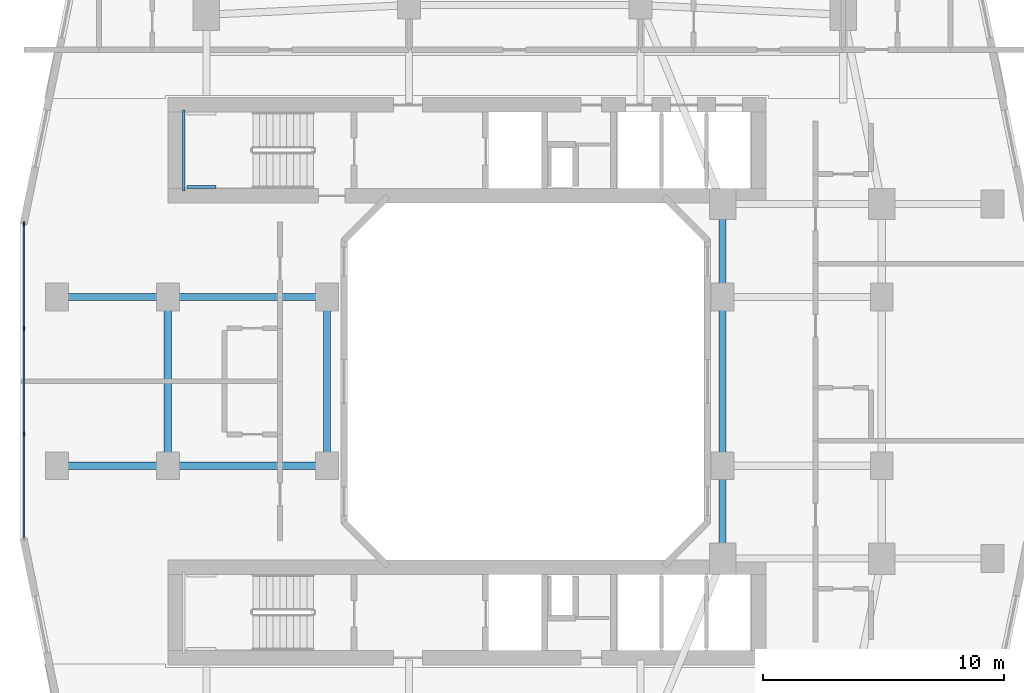
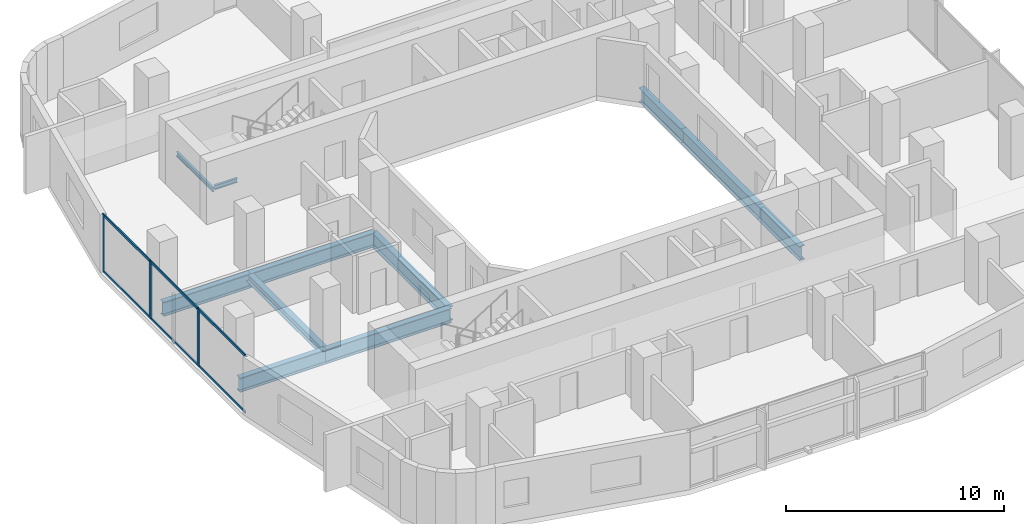
# One storey, part 3 of 27: 11 beams, 9 members, 1 element without a shape of its own.
"""IFC4 building model written with IfcOpenShell, lengths in metres."""

from ifc_helpers import new_model, si_unit, derived_unit, direction, frame, origin, origin_2d, place, context, subcontext, project, spatial, rectangle, i_section, extrude, material, layer, layer_set, material_profile, profile_set, type_object, element, aggregate, save


model = new_model("IFC4")

# Units and contexts
model_context = context("Model", 3, precision=1e-05, world=origin(), true_north=direction((0.0, 1.0)))
body_context = subcontext(model_context, "Body", "Model", "MODEL_VIEW")
ifc_project = project(units=[si_unit("LENGTHUNIT", "METRE"), si_unit("AREAUNIT", "SQUARE_METRE"), si_unit("VOLUMEUNIT", "CUBIC_METRE"), si_unit("PLANEANGLEUNIT", "RADIAN"), si_unit("MASSUNIT", "GRAM", prefix="KILO"), derived_unit("THERMALTRANSMITTANCEUNIT", [(si_unit("POWERUNIT", "WATT"), 1), (si_unit("LENGTHUNIT", "METRE"), -2), (si_unit("THERMODYNAMICTEMPERATUREUNIT", "KELVIN"), -1)])], contexts=[model_context])

# Site, building, storey
site_placement = place(None, origin())
site = spatial("IfcSite", under=ifc_project, at=site_placement, CompositionType="ELEMENT")
building_placement = place(site_placement, origin())
building = spatial("IfcBuilding", under=site, at=building_placement, Name="Kivonza Crest Hotel", CompositionType="ELEMENT")
storey_placement = place(building_placement, frame((0.0, 0.0, 34.5)))
storey = spatial("IfcBuildingStorey", under=building, at=storey_placement, Name="L08", CompositionType="ELEMENT", Elevation=34.5)

# Beams
ifc_material_1 = material(Name="Steel S355", Category="steel")
ifc_material_profile_1 = material_profile(ifc_material_1, i_section(OverallWidth=0.300048828125, OverallDepth=0.449951171875, WebThickness=0.013916015625, FlangeThickness=0.02587890625, FilletRadius=0.027099609375, at=origin_2d()), Name="HEB 450")
ifc_profile_set_1 = profile_set([ifc_material_profile_1], Name="Steel S355")
beam_type_1 = type_object("IfcBeamType", Name="BM-HEB450", PredefinedType="SPANDREL", material=ifc_profile_set_1)
beam_1_placement = place(storey_placement, frame((6.199951171875, 28.5, -0.5048828125), z_axis=(0.0, -1.0, 0.0), x_axis=(1.0, 0.0, 0.0)))
element("IfcBeam", 1, at=beam_1_placement, inside=storey, type_object=beam_type_1, Name="Tower T1 L08 perimeter spandrel W2-W1", PredefinedType="SPANDREL", context=body_context, shape_type="SweptSolid", body=[
    extrude(i_section(OverallWidth=0.300048828125, OverallDepth=0.449951171875, WebThickness=0.013916015625, FlangeThickness=0.02587890625, FilletRadius=0.027099609375, at=origin_2d()), origin(), (0.0, 0.0, 1.0), 7.0),
])
ifc_material_profile_2 = material_profile(ifc_material_1, i_section(OverallWidth=0.300048828125, OverallDepth=0.800048828125, WebThickness=0.017578125, FlangeThickness=0.032958984375, FilletRadius=0.030029296875, at=origin_2d()), Name="HEB 800")
ifc_profile_set_2 = profile_set([ifc_material_profile_2], Name="Steel S355")
beam_type_2 = type_object("IfcBeamType", Name="BM-HEB800", PredefinedType="BEAM", material=ifc_profile_set_2)
for number, where, z_axis, x_axis, name in (
    (2, (6.199951171875, 21.5, -0.679931640625), (1.0, 0.0, 0.0), (0.0, 1.0, 0.0), "Tower T1 L08 primary girder W1-WL1"),
    (3, (6.199951171875, 28.5, -0.679931640625), (1.0, 0.0, 0.0), (0.0, 1.0, 0.0), "Tower T1 L08 primary girder W2-WL2"),
):
    element("IfcBeam", number, at=place(storey_placement, frame(where, z_axis=z_axis, x_axis=x_axis)), inside=storey, type_object=beam_type_2, Name=name, PredefinedType="BEAM", context=body_context, shape_type="SweptSolid", body=[
        extrude(i_section(OverallWidth=0.300048828125, OverallDepth=0.800048828125, WebThickness=0.017578125, FlangeThickness=0.032958984375, FilletRadius=0.030029296875, at=origin_2d()), origin(), (0.0, 0.0, 1.0), 6.60009765625),
    ])
for number, where, z_axis, x_axis, name in (
    (4, (12.800048828125, 21.5, -0.679931640625), (0.0, 1.0, 0.0), (-1.0, 0.0, 0.0), "Tower T1 L08 primary girder WL1-WL2"),
    (5, (29.199951171875, 21.5, -0.679931640625), (0.0, 1.0, 0.0), (-1.0, 0.0, 0.0), "Tower T1 L08 primary girder WR1-WR2"),
):
    element("IfcBeam", number, at=place(storey_placement, frame(where, z_axis=z_axis, x_axis=x_axis)), inside=storey, type_object=beam_type_2, Name=name, PredefinedType="BEAM", context=body_context, shape_type="SweptSolid", body=[
        extrude(i_section(OverallWidth=0.300048828125, OverallDepth=0.800048828125, WebThickness=0.017578125, FlangeThickness=0.032958984375, FilletRadius=0.030029296875, at=origin_2d()), origin(), (0.0, 0.0, 1.0), 7.0),
    ])
for number, where, z_axis, x_axis, name in (
    (6, (29.199951171875, 17.64990234375, -0.679931640625), (0.0, 1.0, 0.0), (-1.0, 0.0, 0.0), "Tower T1 L08 primary girder TSE-WR1"),
    (7, (29.199951171875, 28.5, -0.679931640625), (0.0, 1.0, 0.0), (-1.0, 0.0, 0.0), "Tower T1 L08 primary girder WR2-TNE"),
):
    element("IfcBeam", number, at=place(storey_placement, frame(where, z_axis=z_axis, x_axis=x_axis)), inside=storey, type_object=beam_type_2, Name=name, PredefinedType="BEAM", context=body_context, shape_type="SweptSolid", body=[
        extrude(i_section(OverallWidth=0.300048828125, OverallDepth=0.800048828125, WebThickness=0.017578125, FlangeThickness=0.032958984375, FilletRadius=0.030029296875, at=origin_2d()), origin(), (0.0, 0.0, 1.0), 3.85009765625),
    ])
for number, where, z_axis, x_axis, name in (
    (8, (1.60009765625, 21.5, -0.679931640625), (1.0, 0.0, 0.0), (0.0, 1.0, 0.0), "Tower T1 L08 outer bay girder ZW1"),
    (9, (1.60009765625, 28.5, -0.679931640625), (1.0, 0.0, 0.0), (0.0, 1.0, 0.0), "Tower T1 L08 outer bay girder ZW2"),
):
    element("IfcBeam", number, at=place(storey_placement, frame(where, z_axis=z_axis, x_axis=x_axis)), inside=storey, type_object=beam_type_2, Name=name, PredefinedType="BEAM", context=body_context, shape_type="SweptSolid", body=[
        extrude(i_section(OverallWidth=0.300048828125, OverallDepth=0.800048828125, WebThickness=0.017578125, FlangeThickness=0.032958984375, FilletRadius=0.030029296875, at=origin_2d()), origin(), (0.0, 0.0, 1.0), 4.599853515625),
    ])
ifc_material_profile_3 = material_profile(ifc_material_1, i_section(OverallWidth=0.1201171875, OverallDepth=0.239990234375, WebThickness=0.006103515625, FlangeThickness=0.009765625, FilletRadius=0.014892578125, at=origin_2d()), Name="IPE 240")
ifc_profile_set_3 = profile_set([ifc_material_profile_3], Name="Steel S355")
beam_type_3 = type_object("IfcBeamType", Name="BM-LLDG-240", PredefinedType="BEAM", material=ifc_profile_set_3)
beam_2_placement = place(storey_placement, frame((6.860107421875, 32.89990234375, 1.429931640625), z_axis=(0.0, 1.0, 0.0), x_axis=(-1.0, 0.0, 0.0)))
element("IfcBeam", 10, at=beam_2_placement, inside=storey, type_object=beam_type_3, Name="Stair ST-T1-N L08 West landing corbel", PredefinedType="BEAM", context=body_context, shape_type="SweptSolid", body=[
    extrude(i_section(OverallWidth=0.1201171875, OverallDepth=0.239990234375, WebThickness=0.006103515625, FlangeThickness=0.009765625, FilletRadius=0.014892578125, at=origin_2d()), origin(), (0.0, 0.0, 1.0), 3.360107421875),
])
beam_3_placement = place(storey_placement, frame((6.989990234375, 33.06005859375, 1.429931640625), z_axis=(1.0, 0.0, 0.0), x_axis=(0.0, 1.0, 0.0)))
element("IfcBeam", 11, at=beam_3_placement, inside=storey, type_object=beam_type_3, Name="Stair ST-T1-N L08 South landing corbel", PredefinedType="BEAM", context=body_context, shape_type="SweptSolid", body=[
    extrude(i_section(OverallWidth=0.1201171875, OverallDepth=0.239990234375, WebThickness=0.006103515625, FlangeThickness=0.009765625, FilletRadius=0.014892578125, at=origin_2d()), origin(), (0.0, 0.0, 1.0), 1.2099609375),
])

# Curtain wall, members
ifc_material_2 = material(Name="Anodised bronze aluminium and low-E double glazing", Category="aluminium")
ifc_layer = layer(ifc_material_2, 0.179931640625)
ifc_layer_set = layer_set([ifc_layer], Name="Anodised bronze aluminium and low-E double glazing")
curtain_wall_type = type_object("IfcCurtainWallType", Name="CW-SYS-2", PredefinedType="NOTDEFINED", material=ifc_layer_set)
curtain_wall_placement = place(storey_placement, origin())
curtain_wall = element("IfcCurtainWall", 12, at=curtain_wall_placement, inside=storey, type_object=curtain_wall_type, Name="L08 unitised curtain wall CW-T1-L08-35", PredefinedType="NOTDEFINED")
ifc_material_3 = material(Name="Anodised bronze aluminium", Category="aluminium")
ifc_material_profile_4 = material_profile(ifc_material_3, rectangle(XDim=0.06494140625, YDim=0.179931640625, at=origin_2d()), Name="CW-M 65x180")
ifc_profile_set_4 = profile_set([ifc_material_profile_4], Name="Anodised bronze aluminium")
member_type_1 = type_object("IfcMemberType", Name="CW-MUL-65x180", PredefinedType="MULLION", material=ifc_profile_set_4)
member_1_placement = place(storey_placement, frame((0.239990234375, 31.527587890625, 0.0), z_axis=(0.0, 0.0, 1.0), x_axis=(1.0, 0.0, 0.0)))
member_1 = element("IfcMember", 13, at=member_1_placement, type_object=member_type_1, Name="CW-2 mullion 1", PredefinedType="MULLION", context=body_context, shape_type="SweptSolid", body=[
    extrude(rectangle(XDim=0.06494140625, YDim=0.179931640625, at=origin_2d()), origin(), (0.0, 0.0, 1.0), 3.219970703125),
])
member_2_placement = place(storey_placement, frame((0.239990234375, 27.186767578125, 0.0), z_axis=(0.0, 0.0, 1.0), x_axis=(1.0, 0.0, 0.0)))
member_2 = element("IfcMember", 14, at=member_2_placement, type_object=member_type_1, Name="CW-2 mullion 2", PredefinedType="MULLION", context=body_context, shape_type="SweptSolid", body=[
    extrude(rectangle(XDim=0.06494140625, YDim=0.179931640625, at=origin_2d()), origin(), (0.0, 0.0, 1.0), 3.219970703125),
])
member_3_placement = place(storey_placement, frame((0.239990234375, 22.813232421875, 0.0), z_axis=(0.0, 0.0, 1.0), x_axis=(1.0, 0.0, 0.0)))
member_3 = element("IfcMember", 15, at=member_3_placement, type_object=member_type_1, Name="CW-2 mullion 3", PredefinedType="MULLION", context=body_context, shape_type="SweptSolid", body=[
    extrude(rectangle(XDim=0.06494140625, YDim=0.179931640625, at=origin_2d()), origin(), (0.0, 0.0, 1.0), 3.219970703125),
])
ifc_material_profile_5 = material_profile(ifc_material_3, rectangle(XDim=0.06494140625, YDim=0.139892578125, at=origin_2d()), Name="CW-T 65x140")
ifc_profile_set_5 = profile_set([ifc_material_profile_5], Name="Anodised bronze aluminium")
member_type_2 = type_object("IfcMemberType", Name="CW-TRN-65x140", PredefinedType="USERDEFINED", material=ifc_profile_set_5)
member_4_placement = place(storey_placement, frame((0.239990234375, 31.4951171875, 0.032470703125), z_axis=(0.0, -1.0, 0.0), x_axis=(1.0, 0.0, 0.0)))
member_4 = element("IfcMember", 16, at=member_4_placement, type_object=member_type_2, Name="CW-2 transom 1.1", ObjectType="TRANSOM", PredefinedType="USERDEFINED", context=body_context, shape_type="SweptSolid", body=[
    extrude(rectangle(XDim=0.06494140625, YDim=0.139892578125, at=origin_2d()), origin(), (0.0, 0.0, 1.0), 4.27587890625),
])
member_5_placement = place(storey_placement, frame((0.239990234375, 31.4951171875, 3.1875), z_axis=(0.0, -1.0, 0.0), x_axis=(1.0, 0.0, 0.0)))
member_5 = element("IfcMember", 17, at=member_5_placement, type_object=member_type_2, Name="CW-2 transom 1.2", ObjectType="TRANSOM", PredefinedType="USERDEFINED", context=body_context, shape_type="SweptSolid", body=[
    extrude(rectangle(XDim=0.06494140625, YDim=0.139892578125, at=origin_2d()), origin(), (0.0, 0.0, 1.0), 4.27587890625),
])
member_6_placement = place(storey_placement, frame((0.239990234375, 27.154052734375, 0.032470703125), z_axis=(0.0, -1.0, 0.0), x_axis=(1.0, 0.0, 0.0)))
member_6 = element("IfcMember", 18, at=member_6_placement, type_object=member_type_2, Name="CW-2 transom 2.1", ObjectType="TRANSOM", PredefinedType="USERDEFINED", context=body_context, shape_type="SweptSolid", body=[
    extrude(rectangle(XDim=0.06494140625, YDim=0.139892578125, at=origin_2d()), origin(), (0.0, 0.0, 1.0), 4.30810546875),
])
member_7_placement = place(storey_placement, frame((0.239990234375, 27.154052734375, 3.1875), z_axis=(0.0, -1.0, 0.0), x_axis=(1.0, 0.0, 0.0)))
member_7 = element("IfcMember", 19, at=member_7_placement, type_object=member_type_2, Name="CW-2 transom 2.2", ObjectType="TRANSOM", PredefinedType="USERDEFINED", context=body_context, shape_type="SweptSolid", body=[
    extrude(rectangle(XDim=0.06494140625, YDim=0.139892578125, at=origin_2d()), origin(), (0.0, 0.0, 1.0), 4.30810546875),
])
member_8_placement = place(storey_placement, frame((0.239990234375, 22.78076171875, 0.032470703125), z_axis=(0.0, -1.0, 0.0), x_axis=(1.0, 0.0, 0.0)))
member_8 = element("IfcMember", 20, at=member_8_placement, type_object=member_type_2, Name="CW-2 transom 3.1", ObjectType="TRANSOM", PredefinedType="USERDEFINED", context=body_context, shape_type="SweptSolid", body=[
    extrude(rectangle(XDim=0.06494140625, YDim=0.139892578125, at=origin_2d()), origin(), (0.0, 0.0, 1.0), 4.27587890625),
])
member_9_placement = place(storey_placement, frame((0.239990234375, 22.78076171875, 3.1875), z_axis=(0.0, -1.0, 0.0), x_axis=(1.0, 0.0, 0.0)))
member_9 = element("IfcMember", 21, at=member_9_placement, type_object=member_type_2, Name="CW-2 transom 3.2", ObjectType="TRANSOM", PredefinedType="USERDEFINED", context=body_context, shape_type="SweptSolid", body=[
    extrude(rectangle(XDim=0.06494140625, YDim=0.139892578125, at=origin_2d()), origin(), (0.0, 0.0, 1.0), 4.27587890625),
])
aggregate(curtain_wall, [member_1, member_2, member_3, member_4, member_5, member_6, member_7, member_8, member_9])

save(model, "model.ifc")
